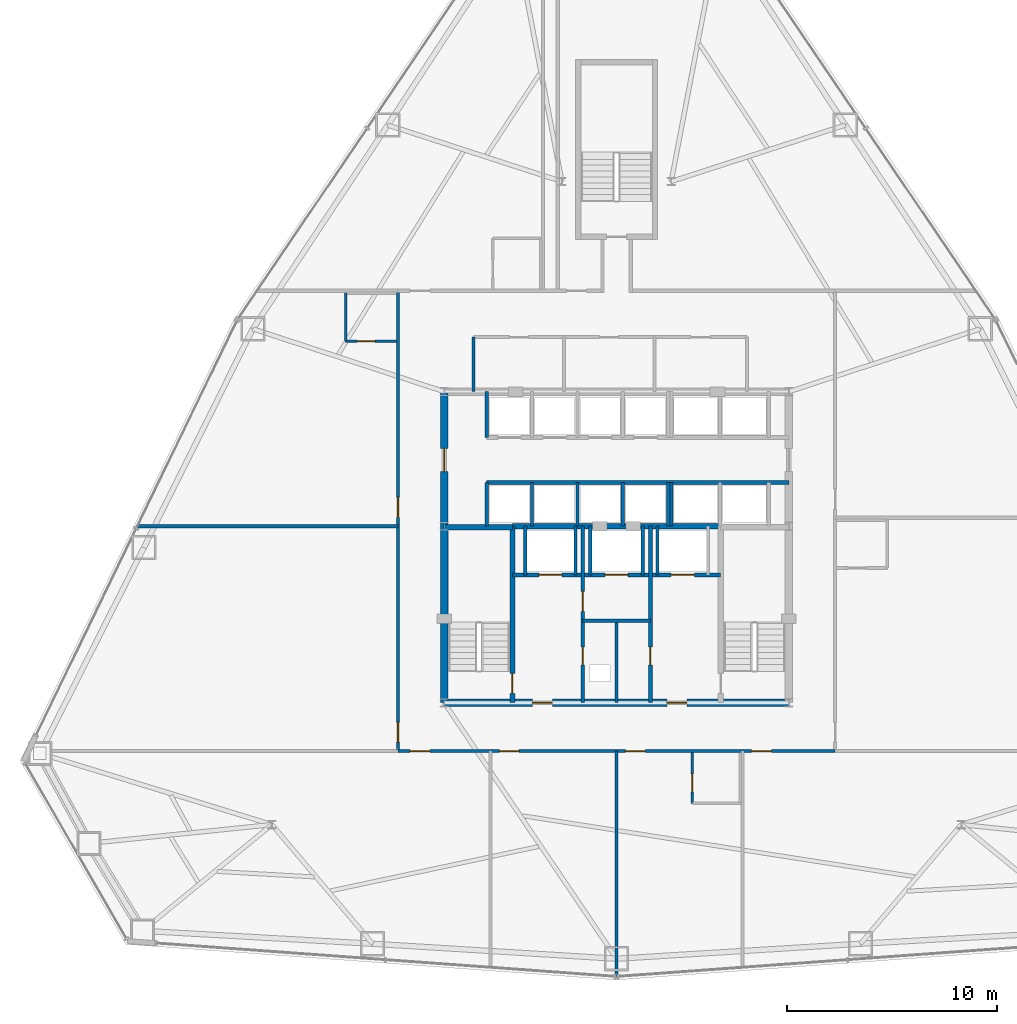
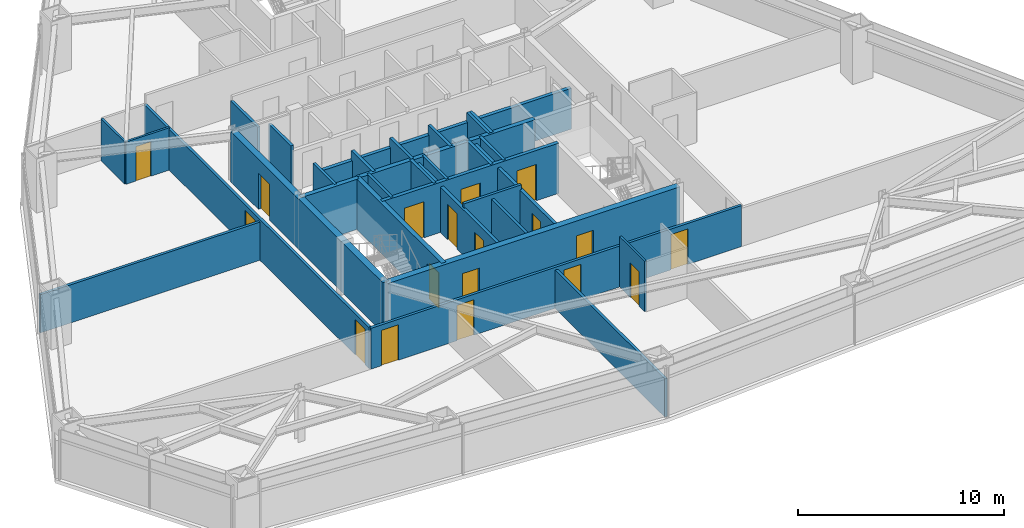
# One storey, part 9 of 12: 31 walls, 18 doors, 18 openings.
"""IFC4 building model written with IfcOpenShell, lengths in metres."""

from ifc_helpers import new_model, si_unit, direction, frame, frame_2d, origin, place, context, subcontext, project, spatial, rectangle, extrude, material, layer, layer_set, type_object, element, fill, save


model = new_model("IFC4")

# Units and contexts
model_context = context("Model", 3, precision=1e-05, world=origin(), true_north=direction((0.0, 1.0)))
body_context = subcontext(model_context, "Body", "Model", "MODEL_VIEW")
ifc_project = project(units=[si_unit("LENGTHUNIT", "METRE"), si_unit("AREAUNIT", "SQUARE_METRE"), si_unit("VOLUMEUNIT", "CUBIC_METRE"), si_unit("PLANEANGLEUNIT", "RADIAN"), si_unit("MASSUNIT", "GRAM", prefix="KILO")], contexts=[model_context])

# Site, building, storey
site_placement = place(None, origin())
site = spatial("IfcSite", under=ifc_project, at=site_placement, CompositionType="ELEMENT")
building_placement = place(site_placement, origin())
building = spatial("IfcBuilding", under=site, at=building_placement, Name="Varakhsha Concourse Tower", CompositionType="ELEMENT")
storey_placement = place(building_placement, frame((0.0, 0.0, 56.0)))
storey = spatial("IfcBuildingStorey", under=building, at=storey_placement, Name="L15", CompositionType="ELEMENT", Elevation=56.0)

# Wall, openings, doors
ifc_material_1 = material(Name="Concrete fc 65 MPa", Category="concrete")
ifc_layer_1 = layer(ifc_material_1, 0.35009765625, Name="WL-CORE-350")
ifc_layer_set_1 = layer_set([ifc_layer_1], Name="Concrete fc 65 MPa")
wall_type_1 = type_object("IfcWallType", Name="WL-CORE-350", PredefinedType="SHEAR", material=ifc_layer_set_1)
wall_1_placement = place(storey_placement, frame((31.800048828125, 16.39990234375, 0.0), z_axis=(0.0, 0.0, 1.0), x_axis=(1.0, 0.0, 0.0)))
wall_1 = element("IfcWall", 1, at=wall_1_placement, inside=storey, type_object=wall_type_1, Name="L15 Wall CWALL-S-L15", PredefinedType="SHEAR", context=body_context, shape_type="SweptSolid", body=[
    extrude(rectangle(XDim=16.39990234375, YDim=0.35009765625, at=frame_2d((8.199951171875, 0.0))), origin(), (0.0, 0.0, 1.0), 2.97998046875),
])
opening_1_placement = place(wall_1_placement, frame((4.199951171875, 0.0, 0.0)))
opening_1 = element("IfcOpeningElement", 2, at=opening_1_placement, cuts=wall_1, Name="Opening DF-05", PredefinedType="OPENING", context=body_context, shape_type="SweptSolid", body=[
    extrude(rectangle(XDim=0.949951171875, YDim=2.10009765625, at=frame_2d((0.47509765625, 1.050048828125))), frame((0.0, 0.18505859375, 0.0), z_axis=(0.0, -1.0, 0.0), x_axis=(1.0, 0.0, 0.0)), (0.0, 0.0, 1.0), 0.3701171875),
])
opening_2_placement = place(wall_1_placement, frame((10.60009765625, 0.0, 0.0)))
opening_2 = element("IfcOpeningElement", 3, at=opening_2_placement, cuts=wall_1, Name="Opening DF-05", PredefinedType="OPENING", context=body_context, shape_type="SweptSolid", body=[
    extrude(rectangle(XDim=0.949951171875, YDim=2.10009765625, at=frame_2d((0.47509765625, 1.050048828125))), frame((0.0, 0.18505859375, 0.0), z_axis=(0.0, -1.0, 0.0), x_axis=(1.0, 0.0, 0.0)), (0.0, 0.0, 1.0), 0.3701171875),
])
ifc_material_2 = material(Name="Hollow Galvanised Steel Fire Door Assembly", Category="steel")
door_type_1 = type_object("IfcDoorType", Name="DR-FD60-950", OperationType="NOTDEFINED", PredefinedType="DOOR", material=ifc_material_2)
door_1_placement = place(opening_1_placement, origin())
door_1 = element("IfcDoor", 4, at=door_1_placement, inside=storey, type_object=door_type_1, Name="L15 Firefighting Lobby West Door", OperationType="SINGLE_SWING_RIGHT", OverallHeight=2.10009765625, OverallWidth=0.949951171875, PredefinedType="DOOR", context=body_context, shape_type="SweptSolid", body=[
    extrude(rectangle(XDim=0.949951171875, YDim=2.10009765625, at=frame_2d((0.47509765625, 1.050048828125))), frame((0.0, 0.02490234375, 0.0), z_axis=(0.0, -1.0, 0.0), x_axis=(1.0, 0.0, 0.0)), (0.0, 0.0, 1.0), 0.050048828125),
])
fill(opening_1, door_1)
door_2_placement = place(opening_2_placement, origin())
door_2 = element("IfcDoor", 5, at=door_2_placement, inside=storey, type_object=door_type_1, Name="L15 Firefighting Lobby East Door", OperationType="SINGLE_SWING_LEFT", OverallHeight=2.10009765625, OverallWidth=0.949951171875, PredefinedType="DOOR", context=body_context, shape_type="SweptSolid", body=[
    extrude(rectangle(XDim=0.949951171875, YDim=2.10009765625, at=frame_2d((0.47509765625, 1.050048828125))), frame((0.0, 0.02490234375, 0.0), z_axis=(0.0, -1.0, 0.0), x_axis=(1.0, 0.0, 0.0)), (0.0, 0.0, 1.0), 0.050048828125),
])
fill(opening_2, door_2)

# Wall, opening, door
wall_2_placement = place(storey_placement, frame((31.800048828125, 16.39990234375, 0.0), z_axis=(0.0, 0.0, 1.0), x_axis=(0.0, 1.0, 0.0)))
wall_2 = element("IfcWall", 6, at=wall_2_placement, inside=storey, type_object=wall_type_1, Name="L15 Wall CWALL-W-L15", PredefinedType="SHEAR", context=body_context, shape_type="SweptSolid", body=[
    extrude(rectangle(XDim=14.800048828125, YDim=0.35009765625, at=frame_2d((7.39990234375, 0.0))), origin(), (0.0, 0.0, 1.0), 2.97998046875),
])
opening_3_placement = place(wall_2_placement, frame((11.0, 0.0, 0.0)))
opening_3 = element("IfcOpeningElement", 7, at=opening_3_placement, cuts=wall_2, Name="Opening DL-01", PredefinedType="OPENING", context=body_context, shape_type="SweptSolid", body=[
    extrude(rectangle(XDim=1.10009765625, YDim=2.14990234375, at=frame_2d((0.550048828125, 1.074951171875))), frame((0.0, 0.18505859375, 0.0), z_axis=(0.0, -1.0, 0.0), x_axis=(1.0, 0.0, 0.0)), (0.0, 0.0, 1.0), 0.3701171875),
])
ifc_material_3 = material(Name="Anodised Bronze Architectural Aluminium AA 6063-T6", Category="aluminium")
door_type_2 = type_object("IfcDoorType", Name="DR-LOB-1100", OperationType="NOTDEFINED", PredefinedType="DOOR", material=ifc_material_3)
door_3_placement = place(opening_3_placement, origin())
door_3 = element("IfcDoor", 8, at=door_3_placement, inside=storey, type_object=door_type_2, Name="L15 Lift Lobby West Concourse Door", OperationType="SINGLE_SWING_LEFT", OverallHeight=2.14990234375, OverallWidth=1.10009765625, PredefinedType="DOOR", context=body_context, shape_type="SweptSolid", body=[
    extrude(rectangle(XDim=1.10009765625, YDim=2.14990234375, at=frame_2d((0.550048828125, 1.074951171875))), frame((0.0, 0.02490234375, 0.0), z_axis=(0.0, -1.0, 0.0), x_axis=(1.0, 0.0, 0.0)), (0.0, 0.0, 1.0), 0.050048828125),
])
fill(opening_3, door_3)

# Wall, openings, doors
ifc_material_4 = material(Name="Fire-Rated Type X Gypsum Partition Assembly", Category="gypsum")
ifc_layer_2 = layer(ifc_material_4, 0.179931640625, Name="WL-FFLOB-180")
ifc_layer_set_2 = layer_set([ifc_layer_2], Name="Fire-Rated Type X Gypsum Partition Assembly")
wall_type_2 = type_object("IfcWallType", Name="WL-FFLOB-180", PredefinedType="PARTITIONING", material=ifc_layer_set_2)
wall_3_placement = place(storey_placement, frame((38.389892578125, 16.39990234375, 0.0), z_axis=(0.0, 0.0, 1.0), x_axis=(0.0, 1.0, 0.0)))
wall_3 = element("IfcWall", 9, at=wall_3_placement, inside=storey, type_object=wall_type_2, Name="L15 Wall FFW-1E-L15", PredefinedType="PARTITIONING", context=body_context, shape_type="SweptSolid", body=[
    extrude(rectangle(XDim=8.400146484375, YDim=0.179931640625, at=frame_2d((4.2001953125, 0.0))), origin(), (0.0, 0.0, 1.0), 2.7080078125),
])
opening_4_placement = place(wall_3_placement, frame((1.800048828125, 0.0, 0.0)))
opening_4 = element("IfcOpeningElement", 10, at=opening_4_placement, cuts=wall_3, Name="Opening DF-07", PredefinedType="OPENING", context=body_context, shape_type="SweptSolid", body=[
    extrude(rectangle(XDim=0.85009765625, YDim=2.050048828125, at=frame_2d((0.425048828125, 1.02490234375))), frame((0.0, 0.099853515625, 0.0), z_axis=(0.0, -1.0, 0.0), x_axis=(1.0, 0.0, 0.0)), (0.0, 0.0, 1.0), 0.199951171875),
])
opening_5_placement = place(wall_3_placement, frame((4.35009765625, 0.0, 0.0)))
opening_5 = element("IfcOpeningElement", 11, at=opening_5_placement, cuts=wall_3, Name="Opening DF-05", PredefinedType="OPENING", context=body_context, shape_type="SweptSolid", body=[
    extrude(rectangle(XDim=0.949951171875, YDim=2.10009765625, at=frame_2d((0.47509765625, 1.050048828125))), frame((0.0, 0.099853515625, 0.0), z_axis=(0.0, -1.0, 0.0), x_axis=(1.0, 0.0, 0.0)), (0.0, 0.0, 1.0), 0.199951171875),
])
door_type_3 = type_object("IfcDoorType", Name="DR-FD60-850", OperationType="NOTDEFINED", PredefinedType="DOOR", material=ifc_material_2)
door_4_placement = place(opening_4_placement, origin())
door_4 = element("IfcDoor", 12, at=door_4_placement, inside=storey, type_object=door_type_3, Name="L15 Power Metering Closet Door", OperationType="SINGLE_SWING_LEFT", OverallHeight=2.050048828125, OverallWidth=0.85009765625, PredefinedType="DOOR", context=body_context, shape_type="SweptSolid", body=[
    extrude(rectangle(XDim=0.85009765625, YDim=2.050048828125, at=frame_2d((0.425048828125, 1.02490234375))), frame((0.0, 0.02490234375, 0.0), z_axis=(0.0, -1.0, 0.0), x_axis=(1.0, 0.0, 0.0)), (0.0, 0.0, 1.0), 0.050048828125),
])
fill(opening_4, door_4)
door_5_placement = place(opening_5_placement, origin())
door_5 = element("IfcDoor", 13, at=door_5_placement, inside=storey, type_object=door_type_1, Name="L15 Service Vestibule Door", OperationType="SINGLE_SWING_RIGHT", OverallHeight=2.10009765625, OverallWidth=0.949951171875, PredefinedType="DOOR", context=body_context, shape_type="SweptSolid", body=[
    extrude(rectangle(XDim=0.949951171875, YDim=2.10009765625, at=frame_2d((0.47509765625, 1.050048828125))), frame((0.0, 0.02490234375, 0.0), z_axis=(0.0, -1.0, 0.0), x_axis=(1.0, 0.0, 0.0)), (0.0, 0.0, 1.0), 0.050048828125),
])
fill(opening_5, door_5)

# Wall, opening, door
wall_4_placement = place(storey_placement, frame((41.610107421875, 16.39990234375, 0.0), z_axis=(0.0, 0.0, 1.0), x_axis=(0.0, 1.0, 0.0)))
wall_4 = element("IfcWall", 14, at=wall_4_placement, inside=storey, type_object=wall_type_2, Name="L15 Wall FFW-2W-L15", PredefinedType="PARTITIONING", context=body_context, shape_type="SweptSolid", body=[
    extrude(rectangle(XDim=8.400146484375, YDim=0.179931640625, at=frame_2d((4.2001953125, 0.0))), origin(), (0.0, 0.0, 1.0), 2.7080078125),
])
opening_6_placement = place(wall_4_placement, frame((1.800048828125, 0.0, 0.0)))
opening_6 = element("IfcOpeningElement", 15, at=opening_6_placement, cuts=wall_4, Name="Opening DF-07", PredefinedType="OPENING", context=body_context, shape_type="SweptSolid", body=[
    extrude(rectangle(XDim=0.85009765625, YDim=2.050048828125, at=frame_2d((0.425048828125, 1.02490234375))), frame((0.0, 0.099853515625, 0.0), z_axis=(0.0, -1.0, 0.0), x_axis=(1.0, 0.0, 0.0)), (0.0, 0.0, 1.0), 0.199951171875),
])
door_6_placement = place(opening_6_placement, origin())
door_6 = element("IfcDoor", 16, at=door_6_placement, inside=storey, type_object=door_type_3, Name="L15 BMS Control Closet Door", OperationType="SINGLE_SWING_RIGHT", OverallHeight=2.050048828125, OverallWidth=0.85009765625, PredefinedType="DOOR", context=body_context, shape_type="SweptSolid", body=[
    extrude(rectangle(XDim=0.85009765625, YDim=2.050048828125, at=frame_2d((0.425048828125, 1.02490234375))), frame((0.0, 0.02490234375, 0.0), z_axis=(0.0, -1.0, 0.0), x_axis=(1.0, 0.0, 0.0)), (0.0, 0.0, 1.0), 0.050048828125),
])
fill(opening_6, door_6)

ifc_material_5 = material(Name="Acoustic Gypsum Board Partition Assembly", Category="gypsum")
ifc_layer_3 = layer(ifc_material_5, 0.1201171875, Name="WL-PART-120")
ifc_layer_set_3 = layer_set([ifc_layer_3], Name="Acoustic Gypsum Board Partition Assembly")
wall_type_3 = type_object("IfcWallType", Name="WL-PART-120", PredefinedType="PARTITIONING", material=ifc_layer_set_3)
wall_5_placement = place(storey_placement, frame((43.610107421875, 11.610107421875, 0.0), z_axis=(0.0, 0.0, 1.0), x_axis=(0.0, 1.0, 0.0)))
wall_5 = element("IfcWall", 17, at=wall_5_placement, inside=storey, type_object=wall_type_3, Name="L15 Wall ENSW-W-L15-H03", PredefinedType="PARTITIONING", context=body_context, shape_type="SweptSolid", body=[
    extrude(rectangle(XDim=2.429931640625, YDim=0.1201171875, at=frame_2d((1.21484375, 0.0))), origin(), (0.0, 0.0, 1.0), 2.97998046875),
])
opening_7_placement = place(wall_5_placement, frame((0.550048828125, 0.0, 0.0)))
opening_7 = element("IfcOpeningElement", 18, at=opening_7_placement, cuts=wall_5, Name="Opening DI-01", PredefinedType="OPENING", context=body_context, shape_type="SweptSolid", body=[
    extrude(rectangle(XDim=0.85009765625, YDim=2.050048828125, at=frame_2d((0.425048828125, 1.02490234375))), frame((0.0, 0.070068359375, 0.0), z_axis=(0.0, -1.0, 0.0), x_axis=(1.0, 0.0, 0.0)), (0.0, 0.0, 1.0), 0.14013671875),
])
ifc_material_6 = material(Name="Architectural Walnut Acoustic Timber Door", Category="wood")
door_type_4 = type_object("IfcDoorType", Name="DR-INT-850", OperationType="NOTDEFINED", PredefinedType="DOOR", material=ifc_material_6)
door_7_placement = place(opening_7_placement, origin())
door_7 = element("IfcDoor", 19, at=door_7_placement, inside=storey, type_object=door_type_4, Name="L15 En-suite Bathroom Door L15-H03", OperationType="SINGLE_SWING_RIGHT", OverallHeight=2.050048828125, OverallWidth=0.85009765625, PredefinedType="DOOR", context=body_context, shape_type="SweptSolid", body=[
    extrude(rectangle(XDim=0.85009765625, YDim=2.050048828125, at=frame_2d((0.425048828125, 1.02490234375))), frame((0.0, 0.02490234375, 0.0), z_axis=(0.0, -1.0, 0.0), x_axis=(1.0, 0.0, 0.0)), (0.0, 0.0, 1.0), 0.050048828125),
])
fill(opening_7, door_7)

# Wall
wall_6_placement = place(storey_placement, frame((27.110107421875, 33.610107421875, 0.0), z_axis=(0.0, 0.0, 1.0), x_axis=(0.0, 1.0, 0.0)))
element("IfcWall", 20, at=wall_6_placement, inside=storey, type_object=wall_type_3, Name="L15 Wall ENSW-W-L15-H06", PredefinedType="PARTITIONING", context=body_context, shape_type="SweptSolid", body=[
    extrude(rectangle(XDim=2.27978515625, YDim=0.1201171875, at=frame_2d((1.139892578125, 0.0))), origin(), (0.0, 0.0, 1.0), 2.512939453125),
])

# Wall, opening, door
wall_7_placement = place(storey_placement, frame((27.110107421875, 33.610107421875, 0.0), z_axis=(0.0, 0.0, 1.0), x_axis=(1.0, 0.0, 0.0)))
wall_7 = element("IfcWall", 21, at=wall_7_placement, inside=storey, type_object=wall_type_3, Name="L15 Wall ENSW-S-L15-H06", PredefinedType="PARTITIONING", context=body_context, shape_type="SweptSolid", body=[
    extrude(rectangle(XDim=2.429931640625, YDim=0.1201171875, at=frame_2d((1.21484375, 0.0))), origin(), (0.0, 0.0, 1.0), 2.512939453125),
])
opening_8_placement = place(wall_7_placement, frame((0.550048828125, 0.0, 0.0)))
opening_8 = element("IfcOpeningElement", 22, at=opening_8_placement, cuts=wall_7, Name="Opening DI-01", PredefinedType="OPENING", context=body_context, shape_type="SweptSolid", body=[
    extrude(rectangle(XDim=0.85009765625, YDim=2.050048828125, at=frame_2d((0.425048828125, 1.02490234375))), frame((0.0, 0.070068359375, 0.0), z_axis=(0.0, -1.0, 0.0), x_axis=(1.0, 0.0, 0.0)), (0.0, 0.0, 1.0), 0.14013671875),
])
door_8_placement = place(opening_8_placement, origin())
door_8 = element("IfcDoor", 23, at=door_8_placement, inside=storey, type_object=door_type_4, Name="L15 En-suite Bathroom Door L15-H06", OperationType="SINGLE_SWING_RIGHT", OverallHeight=2.050048828125, OverallWidth=0.85009765625, PredefinedType="DOOR", context=body_context, shape_type="SweptSolid", body=[
    extrude(rectangle(XDim=0.85009765625, YDim=2.050048828125, at=frame_2d((0.425048828125, 1.02490234375))), frame((0.0, 0.02490234375, 0.0), z_axis=(0.0, -1.0, 0.0), x_axis=(1.0, 0.0, 0.0)), (0.0, 0.0, 1.0), 0.050048828125),
])
fill(opening_8, door_8)

# Walls
ifc_layer_4 = layer(ifc_material_4, 0.14990234375, Name="WL-PART-150")
ifc_layer_set_4 = layer_set([ifc_layer_4], Name="Fire-Rated Type X Gypsum Partition Assembly")
wall_type_4 = type_object("IfcWallType", Name="WL-PART-150", PredefinedType="PARTITIONING", material=ifc_layer_set_4)
wall_8_placement = place(storey_placement, frame((38.389892578125, 20.300048828125, 0.0), z_axis=(0.0, 0.0, 1.0), x_axis=(1.0, 0.0, 0.0)))
element("IfcWall", 24, at=wall_8_placement, inside=storey, type_object=wall_type_4, Name="L15 Wall RSW-TH-L15", PredefinedType="PARTITIONING", context=body_context, shape_type="SweptSolid", body=[
    extrude(rectangle(XDim=3.22021484375, YDim=0.14990234375, at=frame_2d((1.610107421875, 0.0))), origin(), (0.0, 0.0, 1.0), 2.97998046875),
])
wall_9_placement = place(storey_placement, frame((40.0, 16.39990234375, 0.0), z_axis=(0.0, 0.0, 1.0), x_axis=(0.0, 1.0, 0.0)))
element("IfcWall", 25, at=wall_9_placement, inside=storey, type_object=wall_type_4, Name="L15 Wall RSW-TV-L15", PredefinedType="PARTITIONING", context=body_context, shape_type="SweptSolid", body=[
    extrude(rectangle(XDim=3.900146484375, YDim=0.14990234375, at=frame_2d((1.9501953125, 0.0))), origin(), (0.0, 0.0, 1.0), 2.7080078125),
])
wall_10_placement = place(storey_placement, frame((33.199951171875, 31.199951171875, 0.0), z_axis=(0.0, 0.0, 1.0), x_axis=(0.0, 1.0, 0.0)))
element("IfcWall", 26, at=wall_10_placement, inside=storey, type_object=wall_type_4, Name="L15 Wall NBOH-W-L15", PredefinedType="PARTITIONING", context=body_context, shape_type="SweptSolid", body=[
    extrude(rectangle(XDim=2.60009765625, YDim=0.14990234375, at=frame_2d((1.300048828125, 0.0))), origin(), (0.0, 0.0, 1.0), 2.7080078125),
])

# Wall, openings, doors
wall_11_placement = place(storey_placement, frame((29.60009765625, 14.10009765625, 0.0), z_axis=(0.0, 0.0, 1.0), x_axis=(1.0, 0.0, 0.0)))
wall_11 = element("IfcWall", 27, at=wall_11_placement, inside=storey, type_object=wall_type_4, Name="L15 Wall CRW-S-L15", PredefinedType="PARTITIONING", context=body_context, shape_type="SweptSolid", body=[
    extrude(rectangle(XDim=20.7998046875, YDim=0.14990234375, at=frame_2d((10.39990234375, 0.0))), origin(), (0.0, 0.0, 1.0), 2.430908203125),
])
opening_9_placement = place(wall_11_placement, frame((0.570068359375, 0.0, 0.0)))
opening_9 = element("IfcOpeningElement", 28, at=opening_9_placement, cuts=wall_11, Name="Opening DF-05", PredefinedType="OPENING", context=body_context, shape_type="SweptSolid", body=[
    extrude(rectangle(XDim=0.949951171875, YDim=2.10009765625, at=frame_2d((0.47509765625, 1.050048828125))), frame((0.0, 0.0849609375, 0.0), z_axis=(0.0, -1.0, 0.0), x_axis=(1.0, 0.0, 0.0)), (0.0, 0.0, 1.0), 0.169921875),
])
opening_10_placement = place(wall_11_placement, frame((4.820068359375, 0.0, 0.0)))
opening_10 = element("IfcOpeningElement", 29, at=opening_10_placement, cuts=wall_11, Name="Opening DF-05", PredefinedType="OPENING", context=body_context, shape_type="SweptSolid", body=[
    extrude(rectangle(XDim=0.949951171875, YDim=2.10009765625, at=frame_2d((0.47509765625, 1.050048828125))), frame((0.0, 0.0849609375, 0.0), z_axis=(0.0, -1.0, 0.0), x_axis=(1.0, 0.0, 0.0)), (0.0, 0.0, 1.0), 0.169921875),
])
opening_11_placement = place(wall_11_placement, frame((10.820068359375, 0.0, 0.0)))
opening_11 = element("IfcOpeningElement", 30, at=opening_11_placement, cuts=wall_11, Name="Opening DF-05", PredefinedType="OPENING", context=body_context, shape_type="SweptSolid", body=[
    extrude(rectangle(XDim=0.949951171875, YDim=2.10009765625, at=frame_2d((0.47509765625, 1.050048828125))), frame((0.0, 0.0849609375, 0.0), z_axis=(0.0, -1.0, 0.0), x_axis=(1.0, 0.0, 0.0)), (0.0, 0.0, 1.0), 0.169921875),
])
opening_12_placement = place(wall_11_placement, frame((16.820068359375, 0.0, 0.0)))
opening_12 = element("IfcOpeningElement", 31, at=opening_12_placement, cuts=wall_11, Name="Opening DF-05", PredefinedType="OPENING", context=body_context, shape_type="SweptSolid", body=[
    extrude(rectangle(XDim=0.949951171875, YDim=2.10009765625, at=frame_2d((0.47509765625, 1.050048828125))), frame((0.0, 0.0849609375, 0.0), z_axis=(0.0, -1.0, 0.0), x_axis=(1.0, 0.0, 0.0)), (0.0, 0.0, 1.0), 0.169921875),
])
door_9_placement = place(opening_9_placement, origin())
door_9 = element("IfcDoor", 32, at=door_9_placement, inside=storey, type_object=door_type_1, Name="L15 Hospitality Conservatory Lounge L15-H01 Door", OperationType="SINGLE_SWING_LEFT", OverallHeight=2.10009765625, OverallWidth=0.949951171875, PredefinedType="DOOR", context=body_context, shape_type="SweptSolid", body=[
    extrude(rectangle(XDim=0.949951171875, YDim=2.10009765625, at=frame_2d((0.47509765625, 1.050048828125))), frame((0.0, 0.02490234375, 0.0), z_axis=(0.0, -1.0, 0.0), x_axis=(1.0, 0.0, 0.0)), (0.0, 0.0, 1.0), 0.050048828125),
])
fill(opening_9, door_9)
door_10_placement = place(opening_10_placement, origin())
door_10 = element("IfcDoor", 33, at=door_10_placement, inside=storey, type_object=door_type_1, Name="L15 Hospitality Conservatory Lounge L15-H02 Door", OperationType="SINGLE_SWING_RIGHT", OverallHeight=2.10009765625, OverallWidth=0.949951171875, PredefinedType="DOOR", context=body_context, shape_type="SweptSolid", body=[
    extrude(rectangle(XDim=0.949951171875, YDim=2.10009765625, at=frame_2d((0.47509765625, 1.050048828125))), frame((0.0, 0.02490234375, 0.0), z_axis=(0.0, -1.0, 0.0), x_axis=(1.0, 0.0, 0.0)), (0.0, 0.0, 1.0), 0.050048828125),
])
fill(opening_10, door_10)
door_11_placement = place(opening_11_placement, origin())
door_11 = element("IfcDoor", 34, at=door_11_placement, inside=storey, type_object=door_type_1, Name="L15 Hotel Corner Suite L15-H03 Entry Door", OperationType="SINGLE_SWING_LEFT", OverallHeight=2.10009765625, OverallWidth=0.949951171875, PredefinedType="DOOR", context=body_context, shape_type="SweptSolid", body=[
    extrude(rectangle(XDim=0.949951171875, YDim=2.10009765625, at=frame_2d((0.47509765625, 1.050048828125))), frame((0.0, 0.02490234375, 0.0), z_axis=(0.0, -1.0, 0.0), x_axis=(1.0, 0.0, 0.0)), (0.0, 0.0, 1.0), 0.050048828125),
])
fill(opening_11, door_11)
door_12_placement = place(opening_12_placement, origin())
door_12 = element("IfcDoor", 35, at=door_12_placement, inside=storey, type_object=door_type_1, Name="L15 Hospitality Conservatory Lounge L15-H04 Door", OperationType="SINGLE_SWING_RIGHT", OverallHeight=2.10009765625, OverallWidth=0.949951171875, PredefinedType="DOOR", context=body_context, shape_type="SweptSolid", body=[
    extrude(rectangle(XDim=0.949951171875, YDim=2.10009765625, at=frame_2d((0.47509765625, 1.050048828125))), frame((0.0, 0.02490234375, 0.0), z_axis=(0.0, -1.0, 0.0), x_axis=(1.0, 0.0, 0.0)), (0.0, 0.0, 1.0), 0.050048828125),
])
fill(opening_12, door_12)

wall_12_placement = place(storey_placement, frame((29.60009765625, 14.10009765625, 0.0), z_axis=(0.0, 0.0, 1.0), x_axis=(0.0, 1.0, 0.0)))
wall_12 = element("IfcWall", 36, at=wall_12_placement, inside=storey, type_object=wall_type_4, Name="L15 Wall CRW-W-L15", PredefinedType="PARTITIONING", context=body_context, shape_type="SweptSolid", body=[
    extrude(rectangle(XDim=21.89990234375, YDim=0.14990234375, at=frame_2d((10.949951171875, 0.0))), origin(), (0.0, 0.0, 1.0), 2.430908203125),
])
opening_13_placement = place(wall_12_placement, frame((0.419921875, 0.0, 0.0)))
opening_13 = element("IfcOpeningElement", 37, at=opening_13_placement, cuts=wall_12, Name="Opening DF-05", PredefinedType="OPENING", context=body_context, shape_type="SweptSolid", body=[
    extrude(rectangle(XDim=0.949951171875, YDim=2.10009765625, at=frame_2d((0.47509765625, 1.050048828125))), frame((0.0, 0.0849609375, 0.0), z_axis=(0.0, -1.0, 0.0), x_axis=(1.0, 0.0, 0.0)), (0.0, 0.0, 1.0), 0.169921875),
])
opening_14_placement = place(wall_12_placement, frame((11.1201171875, 0.0, 0.0)))
opening_14 = element("IfcOpeningElement", 38, at=opening_14_placement, cuts=wall_12, Name="Opening DF-05", PredefinedType="OPENING", context=body_context, shape_type="SweptSolid", body=[
    extrude(rectangle(XDim=0.949951171875, YDim=2.10009765625, at=frame_2d((0.47509765625, 1.050048828125))), frame((0.0, 0.0849609375, 0.0), z_axis=(0.0, -1.0, 0.0), x_axis=(1.0, 0.0, 0.0)), (0.0, 0.0, 1.0), 0.169921875),
])
door_13_placement = place(opening_13_placement, origin())
door_13 = element("IfcDoor", 39, at=door_13_placement, inside=storey, type_object=door_type_1, Name="L15 Hospitality Conservatory Lounge L15-H05 Door", OperationType="SINGLE_SWING_LEFT", OverallHeight=2.10009765625, OverallWidth=0.949951171875, PredefinedType="DOOR", context=body_context, shape_type="SweptSolid", body=[
    extrude(rectangle(XDim=0.949951171875, YDim=2.10009765625, at=frame_2d((0.47509765625, 1.050048828125))), frame((0.0, 0.02490234375, 0.0), z_axis=(0.0, -1.0, 0.0), x_axis=(1.0, 0.0, 0.0)), (0.0, 0.0, 1.0), 0.050048828125),
])
fill(opening_13, door_13)
door_14_placement = place(opening_14_placement, origin())
door_14 = element("IfcDoor", 40, at=door_14_placement, inside=storey, type_object=door_type_1, Name="L15 Hotel Corner Suite L15-H06 Entry Door", OperationType="SINGLE_SWING_RIGHT", OverallHeight=2.10009765625, OverallWidth=0.949951171875, PredefinedType="DOOR", context=body_context, shape_type="SweptSolid", body=[
    extrude(rectangle(XDim=0.949951171875, YDim=2.10009765625, at=frame_2d((0.47509765625, 1.050048828125))), frame((0.0, 0.02490234375, 0.0), z_axis=(0.0, -1.0, 0.0), x_axis=(1.0, 0.0, 0.0)), (0.0, 0.0, 1.0), 0.050048828125),
])
fill(opening_14, door_14)

# Walls
wall_13_placement = place(storey_placement, frame((40.0, 3.370849609375, 0.0), z_axis=(0.0, 0.0, 1.0), x_axis=(0.0, 1.0, 0.0)))
element("IfcWall", 41, at=wall_13_placement, inside=storey, type_object=wall_type_4, Name="L15 Wall HDIV-S2-L15", PredefinedType="PARTITIONING", context=body_context, shape_type="SweptSolid", body=[
    extrude(rectangle(XDim=10.729248046875, YDim=0.14990234375, at=frame_2d((5.36474609375, 0.0))), origin(), (0.0, 0.0, 1.0), 2.26806640625),
])
wall_14_placement = place(storey_placement, frame((17.206787109375, 24.800048828125, 0.0), z_axis=(0.0, 0.0, 1.0), x_axis=(1.0, 0.0, 0.0)))
element("IfcWall", 42, at=wall_14_placement, inside=storey, type_object=wall_type_4, Name="L15 Wall HDIV-W1-L15", PredefinedType="PARTITIONING", context=body_context, shape_type="SweptSolid", body=[
    extrude(rectangle(XDim=12.393310546875, YDim=0.14990234375, at=frame_2d((6.19677734375, 0.0))), origin(), (0.0, 0.0, 1.0), 2.26806640625),
])

# Wall, openings, doors
ifc_layer_5 = layer(ifc_material_4, 0.199951171875, Name="WL-SHAFT-220")
ifc_layer_set_5 = layer_set([ifc_layer_5], Name="Fire-Rated Type X Gypsum Partition Assembly")
wall_type_5 = type_object("IfcWallType", Name="WL-SHAFT-220", PredefinedType="SOLIDWALL", material=ifc_layer_set_5)
wall_15_placement = place(storey_placement, frame((35.044921875, 22.47998046875, 0.0), z_axis=(0.0, 0.0, 1.0), x_axis=(1.0, 0.0, 0.0)))
wall_15 = element("IfcWall", 43, at=wall_15_placement, inside=storey, type_object=wall_type_5, Name="L15 Wall FFW-NH-L15", PredefinedType="SOLIDWALL", context=body_context, shape_type="SweptSolid", body=[
    extrude(rectangle(XDim=9.91015625, YDim=0.199951171875, at=frame_2d((4.955078125, 0.0))), origin(), (0.0, 0.0, 1.0), 2.97998046875),
])
opening_15_placement = place(wall_15_placement, frame((1.2548828125, 0.0, 0.0)))
opening_15 = element("IfcOpeningElement", 44, at=opening_15_placement, cuts=wall_15, Name="Opening LD-FFL-1", PredefinedType="OPENING", context=body_context, shape_type="SweptSolid", body=[
    extrude(rectangle(XDim=1.10009765625, YDim=2.14990234375, at=frame_2d((0.550048828125, 1.074951171875))), frame((0.0, 0.10986328125, 0.0), z_axis=(0.0, -1.0, 0.0), x_axis=(1.0, 0.0, 0.0)), (0.0, 0.0, 1.0), 0.219970703125),
])
opening_16_placement = place(wall_15_placement, frame((7.554931640625, 0.0, 0.0)))
opening_16 = element("IfcOpeningElement", 45, at=opening_16_placement, cuts=wall_15, Name="Opening LD-FFL-2", PredefinedType="OPENING", context=body_context, shape_type="SweptSolid", body=[
    extrude(rectangle(XDim=1.10009765625, YDim=2.14990234375, at=frame_2d((0.550048828125, 1.074951171875))), frame((0.0, 0.10986328125, 0.0), z_axis=(0.0, -1.0, 0.0), x_axis=(1.0, 0.0, 0.0)), (0.0, 0.0, 1.0), 0.219970703125),
])
opening_17_placement = place(wall_15_placement, frame((4.405029296875, 0.0, 0.0)))
opening_17 = element("IfcOpeningElement", 46, at=opening_17_placement, cuts=wall_15, Name="Opening LD-SVL-1", PredefinedType="OPENING", context=body_context, shape_type="SweptSolid", body=[
    extrude(rectangle(XDim=1.10009765625, YDim=2.14990234375, at=frame_2d((0.550048828125, 1.074951171875))), frame((0.0, 0.10986328125, 0.0), z_axis=(0.0, -1.0, 0.0), x_axis=(1.0, 0.0, 0.0)), (0.0, 0.0, 1.0), 0.219970703125),
])
ifc_material_7 = material(Name="Brushed Austenitic Stainless Steel AISI 316", Category="steel")
door_type_5 = type_object("IfcDoorType", Name="DR-LD-1100", OperationType="DOUBLE_DOOR_SLIDING", PredefinedType="DOOR", material=ifc_material_7)
door_15_placement = place(opening_15_placement, origin())
door_15 = element("IfcDoor", 47, at=door_15_placement, inside=storey, type_object=door_type_5, Name="Lift Landing Door FFL-1 L15", OperationType="DOUBLE_DOOR_SLIDING", OverallHeight=2.14990234375, OverallWidth=1.10009765625, PredefinedType="DOOR", context=body_context, shape_type="SweptSolid", body=[
    extrude(rectangle(XDim=1.10009765625, YDim=2.14990234375, at=frame_2d((0.550048828125, 1.074951171875))), frame((0.0, 0.02490234375, 0.0), z_axis=(0.0, -1.0, 0.0), x_axis=(1.0, 0.0, 0.0)), (0.0, 0.0, 1.0), 0.050048828125),
])
fill(opening_15, door_15)
door_16_placement = place(opening_16_placement, origin())
door_16 = element("IfcDoor", 48, at=door_16_placement, inside=storey, type_object=door_type_5, Name="Lift Landing Door FFL-2 L15", OperationType="DOUBLE_DOOR_SLIDING", OverallHeight=2.14990234375, OverallWidth=1.10009765625, PredefinedType="DOOR", context=body_context, shape_type="SweptSolid", body=[
    extrude(rectangle(XDim=1.10009765625, YDim=2.14990234375, at=frame_2d((0.550048828125, 1.074951171875))), frame((0.0, 0.02490234375, 0.0), z_axis=(0.0, -1.0, 0.0), x_axis=(1.0, 0.0, 0.0)), (0.0, 0.0, 1.0), 0.050048828125),
])
fill(opening_16, door_16)
door_17_placement = place(opening_17_placement, origin())
door_17 = element("IfcDoor", 49, at=door_17_placement, inside=storey, type_object=door_type_5, Name="Lift Landing Door SVL-1 L15", OperationType="DOUBLE_DOOR_SLIDING", OverallHeight=2.14990234375, OverallWidth=1.10009765625, PredefinedType="DOOR", context=body_context, shape_type="SweptSolid", body=[
    extrude(rectangle(XDim=1.10009765625, YDim=2.14990234375, at=frame_2d((0.550048828125, 1.074951171875))), frame((0.0, 0.02490234375, 0.0), z_axis=(0.0, -1.0, 0.0), x_axis=(1.0, 0.0, 0.0)), (0.0, 0.0, 1.0), 0.050048828125),
])
fill(opening_17, door_17)

# Walls
for number, where, z_axis, x_axis, name in (
    (50, (35.64990234375, 22.47998046875, 0.0), (0.0, 0.0, 1.0), (0.0, 1.0, 0.0), "L15 Wall SHW-FFL-1-W-L15"),
    (51, (38.050048828125, 22.47998046875, 0.0), (0.0, 0.0, 1.0), (0.0, 1.0, 0.0), "L15 Wall SHW-FFL-1-E-L15"),
    (52, (41.949951171875, 22.47998046875, 0.0), (0.0, 0.0, 1.0), (0.0, 1.0, 0.0), "L15 Wall SHW-FFL-2-W-L15"),
    (53, (38.75, 22.47998046875, 0.0), (0.0, 0.0, 1.0), (0.0, 1.0, 0.0), "L15 Wall SHW-SVL-1-W-L15"),
    (54, (41.25, 22.47998046875, 0.0), (0.0, 0.0, 1.0), (0.0, 1.0, 0.0), "L15 Wall SHW-SVL-1-E-L15"),
):
    element("IfcWall", number, at=place(storey_placement, frame(where, z_axis=z_axis, x_axis=x_axis)), inside=storey, type_object=wall_type_5, Name=name, PredefinedType="SOLIDWALL", context=body_context, shape_type="SweptSolid", body=[
        extrude(rectangle(XDim=2.320068359375, YDim=0.159912109375, at=frame_2d((1.16015625, 0.0))), origin(), (0.0, 0.0, 1.0), 2.97998046875),
    ])
wall_16_placement = place(storey_placement, frame((33.820068359375, 26.8798828125, 0.0), z_axis=(0.0, 0.0, 1.0), x_axis=(1.0, 0.0, 0.0)))
element("IfcWall", 55, at=wall_16_placement, inside=storey, type_object=wall_type_5, Name="L15 Wall PLW-S-L15", PredefinedType="SOLIDWALL", context=body_context, shape_type="SweptSolid", body=[
    extrude(rectangle(XDim=14.3798828125, YDim=0.199951171875, at=frame_2d((7.18994140625, 0.0))), origin(), (0.0, 0.0, 1.0), 2.430908203125),
])
wall_17_placement = place(storey_placement, frame((33.820068359375, 29.02001953125, 0.0), z_axis=(0.0, 0.0, 1.0), x_axis=(0.0, 1.0, 0.0)))
element("IfcWall", 56, at=wall_17_placement, inside=storey, type_object=wall_type_5, Name="L15 Wall WBOH-E1-L15", PredefinedType="SOLIDWALL", context=body_context, shape_type="SweptSolid", body=[
    extrude(rectangle(XDim=2.179931640625, YDim=0.159912109375, at=frame_2d((1.08984375, 0.0))), origin(), (0.0, 0.0, 1.0), 2.7080078125),
])
for number, where, z_axis, x_axis, name in (
    (57, (33.820068359375, 24.800048828125, 0.0), (0.0, 0.0, 1.0), (0.0, 1.0, 0.0), "L15 Wall WBOH-E2-L15"),
    (58, (35.97998046875, 24.800048828125, 0.0), (0.0, 0.0, 1.0), (0.0, 1.0, 0.0), "L15 Wall SHW-LF-P05-E-L15"),
    (59, (38.139892578125, 24.800048828125, 0.0), (0.0, 0.0, 1.0), (0.0, 1.0, 0.0), "L15 Wall SHW-LF-P06-E-L15"),
    (60, (40.300048828125, 24.800048828125, 0.0), (0.0, 0.0, 1.0), (0.0, 1.0, 0.0), "L15 Wall SHW-LF-P07-E-L15"),
    (61, (42.4599609375, 24.800048828125, 0.0), (0.0, 0.0, 1.0), (0.0, 1.0, 0.0), "L15 Wall SHW-LF-P08-E-L15"),
    (62, (42.60009765625, 24.800048828125, 0.0), (0.0, 0.0, 1.0), (0.0, 1.0, 0.0), "L15 Wall SHW-LF-P11-W-L15"),
):
    element("IfcWall", number, at=place(storey_placement, frame(where, z_axis=z_axis, x_axis=x_axis)), inside=storey, type_object=wall_type_5, Name=name, PredefinedType="SOLIDWALL", context=body_context, shape_type="SweptSolid", body=[
        extrude(rectangle(XDim=2.079833984375, YDim=0.159912109375, at=frame_2d((1.0400390625, 0.0))), origin(), (0.0, 0.0, 1.0), 2.97998046875),
    ])

# Wall, opening, door
ifc_material_8 = material(Name="Concrete fc 45 MPa", Category="concrete")
ifc_layer_6 = layer(ifc_material_8, 0.25, Name="WL-STAIR-250")
ifc_layer_set_6 = layer_set([ifc_layer_6], Name="Concrete fc 45 MPa")
wall_type_6 = type_object("IfcWallType", Name="WL-STAIR-250", PredefinedType="SHEAR", material=ifc_layer_set_6)
wall_18_placement = place(storey_placement, frame((35.044921875, 16.39990234375, 0.0), z_axis=(0.0, 0.0, 1.0), x_axis=(0.0, 1.0, 0.0)))
wall_18 = element("IfcWall", 63, at=wall_18_placement, inside=storey, type_object=wall_type_6, Name="L15 Wall SWALL-ST1-E-L15", PredefinedType="SHEAR", context=body_context, shape_type="SweptSolid", body=[
    extrude(rectangle(XDim=8.400146484375, YDim=0.25, at=frame_2d((4.2001953125, 0.0))), origin(), (0.0, 0.0, 1.0), 2.97998046875),
])
opening_18_placement = place(wall_18_placement, frame((0.449951171875, 0.0, 0.0)))
opening_18 = element("IfcOpeningElement", 64, at=opening_18_placement, cuts=wall_18, Name="Opening DF-03", PredefinedType="OPENING", context=body_context, shape_type="SweptSolid", body=[
    extrude(rectangle(XDim=0.949951171875, YDim=2.10009765625, at=frame_2d((0.47509765625, 1.050048828125))), frame((0.0, 0.135009765625, 0.0), z_axis=(0.0, -1.0, 0.0), x_axis=(1.0, 0.0, 0.0)), (0.0, 0.0, 1.0), 0.27001953125),
])
door_type_6 = type_object("IfcDoorType", Name="DR-FD90-950", OperationType="NOTDEFINED", PredefinedType="DOOR", material=ifc_material_2)
door_18_placement = place(opening_18_placement, origin())
door_18 = element("IfcDoor", 65, at=door_18_placement, inside=storey, type_object=door_type_6, Name="L15 Stair ST1 Fire Door", OperationType="SINGLE_SWING_LEFT", OverallHeight=2.10009765625, OverallWidth=0.949951171875, PredefinedType="DOOR", context=body_context, shape_type="SweptSolid", body=[
    extrude(rectangle(XDim=0.949951171875, YDim=2.10009765625, at=frame_2d((0.47509765625, 1.050048828125))), frame((0.0, 0.02490234375, 0.0), z_axis=(0.0, -1.0, 0.0), x_axis=(1.0, 0.0, 0.0)), (0.0, 0.0, 1.0), 0.050048828125),
])
fill(opening_18, door_18)

# Walls
wall_19_placement = place(storey_placement, frame((31.800048828125, 24.7548828125, 0.0), z_axis=(0.0, 0.0, 1.0), x_axis=(1.0, 0.0, 0.0)))
element("IfcWall", 66, at=wall_19_placement, inside=storey, type_object=wall_type_6, Name="L15 Wall SWALL-ST1-N-L15", PredefinedType="SHEAR", context=body_context, shape_type="SweptSolid", body=[
    extrude(rectangle(XDim=3.244873046875, YDim=0.25, at=frame_2d((1.62255859375, 0.0))), origin(), (0.0, 0.0, 1.0), 2.97998046875),
])
wall_20_placement = place(storey_placement, frame((35.044921875, 24.800048828125, 0.0), z_axis=(0.0, 0.0, 1.0), x_axis=(1.0, 0.0, 0.0)))
element("IfcWall", 67, at=wall_20_placement, inside=storey, type_object=wall_type_6, Name="L15 Wall SWALL-MID-H-L15", PredefinedType="SHEAR", context=body_context, shape_type="SweptSolid", body=[
    extrude(rectangle(XDim=9.91015625, YDim=0.25, at=frame_2d((4.955078125, 0.0))), origin(), (0.0, 0.0, 1.0), 2.97998046875),
])

save(model, "model.ifc")
